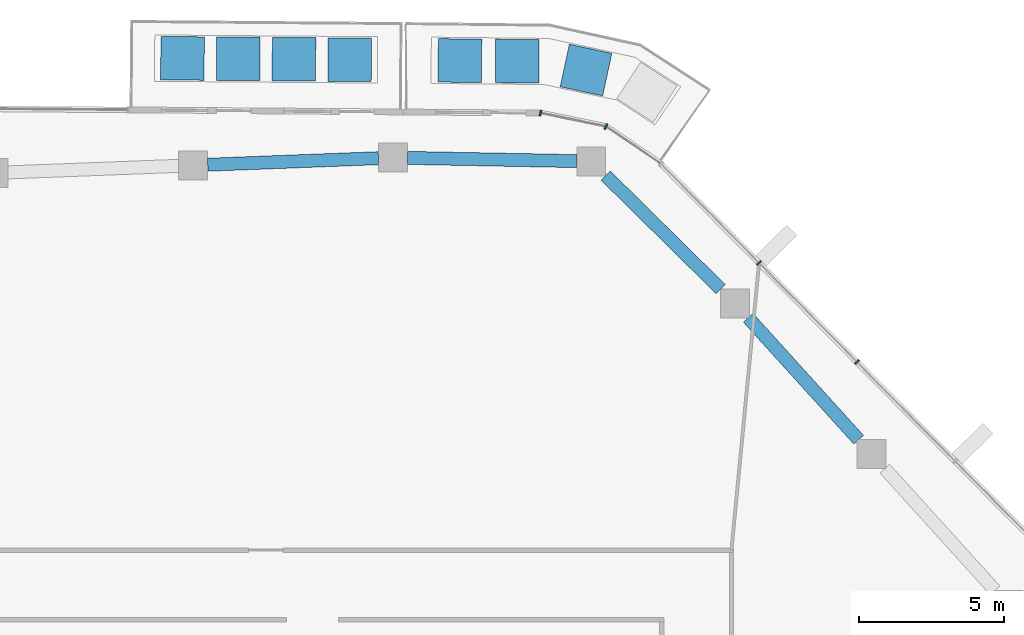
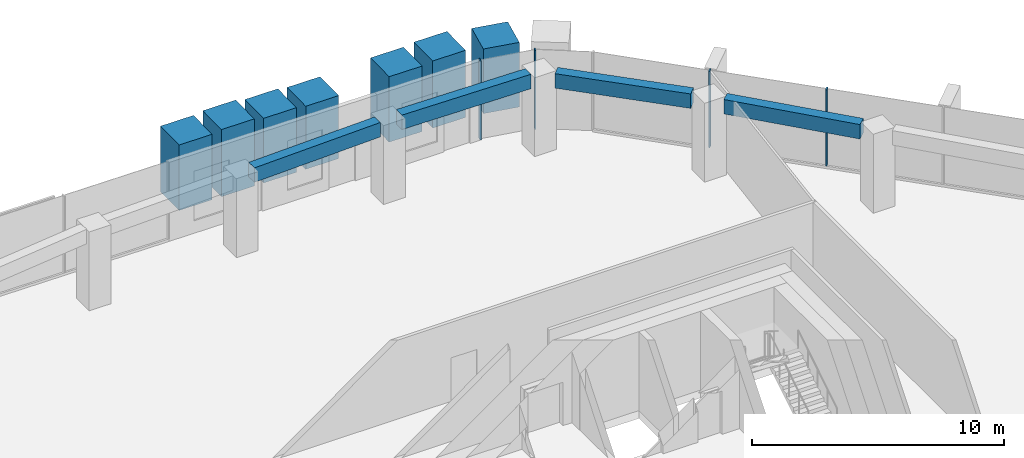
# One storey, part 9 of 23: 11 members, 4 beams, 2 elements without a shape of their own.
"""IFC4 building model written with IfcOpenShell, lengths in metres."""

from ifc_helpers import new_model, si_unit, direction, frame, origin, origin_2d, place, context, subcontext, project, spatial, rectangle, extrude, material, layer, layer_set, material_profile, profile_set, type_object, element, aggregate, save


model = new_model("IFC4")

# Units and contexts
model_context = context("Model", 3, precision=1e-05, world=origin(), true_north=direction((0.0, 1.0)))
body_context = subcontext(model_context, "Body", "Model", "MODEL_VIEW")
ifc_project = project(units=[si_unit("LENGTHUNIT", "METRE"), si_unit("AREAUNIT", "SQUARE_METRE"), si_unit("VOLUMEUNIT", "CUBIC_METRE"), si_unit("PLANEANGLEUNIT", "RADIAN"), si_unit("MASSUNIT", "GRAM", prefix="KILO")], contexts=[model_context])

# Site, building, storey
site_placement = place(None, origin())
site = spatial("IfcSite", under=ifc_project, at=site_placement, CompositionType="ELEMENT")
building_placement = place(site_placement, origin())
building = spatial("IfcBuilding", under=site, at=building_placement, Name="Dongbaek Canopy Tower", CompositionType="ELEMENT")
storey_placement = place(building_placement, frame((0.0, 0.0, 323.60009765625)))
storey = spatial("IfcBuildingStorey", under=building, at=storey_placement, Name="L69", CompositionType="ELEMENT", Elevation=323.60009765625)

# Curtain wall, members
ifc_material_1 = material(Name="Aluminium 6063-T6 pale anodised", Category="aluminium")
ifc_layer = layer(ifc_material_1, 0.199951171875)
ifc_layer_set = layer_set([ifc_layer], Name="CW-1 unitised tower curtain wall")
curtain_wall_type = type_object("IfcCurtainWallType", Name="CW-1 unitised tower curtain wall", PredefinedType="NOTDEFINED", material=ifc_layer_set)
curtain_wall_1_placement = place(storey_placement, origin())
curtain_wall_1 = element("IfcCurtainWall", 1, at=curtain_wall_1_placement, inside=storey, type_object=curtain_wall_type, Name="CW-1 curtain wall F0.1", PredefinedType="NOTDEFINED")
ifc_material_2 = material(Name="Aluminium 6063-T6 pale anodised", Category="aluminium")
ifc_material_profile_1 = material_profile(ifc_material_2, rectangle(XDim=0.199951171875, YDim=0.06005859375, at=origin_2d()), Name="CW-1 mullion 60 x 200")
ifc_profile_set_1 = profile_set([ifc_material_profile_1], Name="Aluminium 6063-T6 pale anodised")
member_type_1 = type_object("IfcMemberType", Name="CW-1 mullion 60 x 200", PredefinedType="MULLION", material=ifc_profile_set_1)
member_1_placement = place(storey_placement, frame((21.482177734375, 20.642333984375, 0.119873046875), z_axis=(0.0, 0.0, 1.0), x_axis=(0.711035260325, 0.703156354287, 0.0)))
member_1 = element("IfcMember", 2, at=member_1_placement, type_object=member_type_1, Name="CW-1 mullion F0.1.4", PredefinedType="MULLION", context=body_context, shape_type="SweptSolid", body=[
    extrude(rectangle(XDim=0.199951171875, YDim=0.06005859375, at=origin_2d()), origin(), (0.0, 0.0, 1.0), 3.699951171875),
])
member_2_placement = place(storey_placement, frame((18.101806640625, 24.060791015625, 0.119873046875), z_axis=(0.0, 0.0, 1.0), x_axis=(0.711035260325, 0.703156354287, 0.0)))
member_2 = element("IfcMember", 3, at=member_2_placement, type_object=member_type_1, Name="CW-1 mullion F0.1.5", PredefinedType="MULLION", context=body_context, shape_type="SweptSolid", body=[
    extrude(rectangle(XDim=0.199951171875, YDim=0.06005859375, at=origin_2d()), origin(), (0.0, 0.0, 1.0), 3.699951171875),
])
aggregate(curtain_wall_1, [member_1, member_2])

curtain_wall_2_placement = place(storey_placement, origin())
curtain_wall_2 = element("IfcCurtainWall", 4, at=curtain_wall_2_placement, inside=storey, type_object=curtain_wall_type, Name="CW-1 curtain wall K1.1", PredefinedType="NOTDEFINED")
member_3_placement = place(storey_placement, frame((12.8193359375, 28.764404296875, 0.0), z_axis=(0.0, 0.0, 1.0), x_axis=(0.388843204791, 0.921303946636, 0.0)))
member_3 = element("IfcMember", 5, at=member_3_placement, type_object=member_type_1, Name="CW-1 mullion K1.1.2", PredefinedType="MULLION", context=body_context, shape_type="SweptSolid", body=[
    extrude(rectangle(XDim=0.199951171875, YDim=0.06005859375, at=origin_2d()), origin(), (0.0, 0.0, 1.0), 3.81982421875),
])
member_4_placement = place(storey_placement, frame((10.56201171875, 29.23046875, 0.0), z_axis=(0.0, 0.0, 1.0), x_axis=(0.2021754834, 0.979349311488, 0.0)))
member_4 = element("IfcMember", 6, at=member_4_placement, type_object=member_type_1, Name="CW-1 mullion K1.1.3", PredefinedType="MULLION", context=body_context, shape_type="SweptSolid", body=[
    extrude(rectangle(XDim=0.199951171875, YDim=0.06005859375, at=origin_2d()), origin(), (0.0, 0.0, 1.0), 3.81982421875),
])
aggregate(curtain_wall_2, [member_3, member_4])

# Beams
ifc_material_3 = material(Name="Concrete C60", Category="concrete")
ifc_material_profile_2 = material_profile(ifc_material_3, rectangle(XDim=0.449951171875, YDim=0.699951171875, at=origin_2d()), Name="RC EDGE BEAM 450x700 C60")
ifc_profile_set_2 = profile_set([ifc_material_profile_2], Name="Concrete C60")
beam_type = type_object("IfcBeamType", Name="RC EDGE BEAM 450x700 C60", PredefinedType="BEAM", material=ifc_profile_set_2)
beam_1_placement = place(storey_placement, frame((-0.91796875, 27.447265625, 3.469970703125), z_axis=(0.999267098379, 0.038278794366, 0.0), x_axis=(-0.038278794366, 0.999267098379, 0.0)))
element("IfcBeam", 7, at=beam_1_placement, inside=storey, type_object=beam_type, Name="EDGEBEAM:L69:15", PredefinedType="BEAM", context=body_context, shape_type="SweptSolid", body=[
    extrude(rectangle(XDim=0.449951171875, YDim=0.699951171875, at=origin_2d()), origin(), (0.0, 0.0, 1.0), 5.893310546875),
])
beam_2_placement = place(storey_placement, frame((5.970947265625, 27.6826171875, 3.469970703125), z_axis=(0.99982249395, -0.018840928625, 0.0), x_axis=(0.018840928625, 0.99982249395, 0.0)))
element("IfcBeam", 8, at=beam_2_placement, inside=storey, type_object=beam_type, Name="EDGEBEAM:L69:16", PredefinedType="BEAM", context=body_context, shape_type="SweptSolid", body=[
    extrude(rectangle(XDim=0.449951171875, YDim=0.699951171875, at=origin_2d()), origin(), (0.0, 0.0, 1.0), 5.843994140625),
])
beam_3_placement = place(storey_placement, frame((12.81396484375, 27.069580078125, 3.469970703125), z_axis=(0.711740530271, -0.702442465665, 0.0), x_axis=(0.702442465665, 0.711740530271, 0.0)))
element("IfcBeam", 9, at=beam_3_placement, inside=storey, type_object=beam_type, Name="EDGEBEAM:L69:17", PredefinedType="BEAM", context=body_context, shape_type="SweptSolid", body=[
    extrude(rectangle(XDim=0.449951171875, YDim=0.699951171875, at=origin_2d()), origin(), (0.0, 0.0, 1.0), 5.56640625),
])
beam_4_placement = place(storey_placement, frame((17.72900390625, 22.166015625, 3.469970703125), z_axis=(0.67133921348, -0.741150227986, 0.0), x_axis=(0.741150227986, 0.67133921348, 0.0)))
element("IfcBeam", 10, at=beam_4_placement, inside=storey, type_object=beam_type, Name="EDGEBEAM:L69:18", PredefinedType="BEAM", context=body_context, shape_type="SweptSolid", body=[
    extrude(rectangle(XDim=0.449951171875, YDim=0.699951171875, at=origin_2d()), origin(), (0.0, 0.0, 1.0), 5.67236328125),
])

# Members
ifc_material_4 = material(Name="Concrete C40/50 planter mass with planting", Category="concrete")
ifc_material_profile_3 = material_profile(ifc_material_4, rectangle(XDim=1.5, YDim=1.5, at=origin_2d()), Name="Terrace PLANTER shrub mass 1500 x 1500")
ifc_profile_set_3 = profile_set([ifc_material_profile_3], Name="Concrete C40/50 planter mass with planting")
member_type_2 = type_object("IfcMemberType", Name="Terrace PLANTER shrub mass 1500 x 1500", PredefinedType="USERDEFINED", material=ifc_profile_set_3)
member_5_placement = place(storey_placement, frame((3.979248046875, 31.07177734375, 0.419921875), z_axis=(0.0, 0.0, 1.0), x_axis=(0.007781807363, 0.999969721279, 0.0)))
element("IfcMember", 11, at=member_5_placement, inside=storey, type_object=member_type_2, Name="Planter shrubs L69 1.1", ObjectType="PLANTER", PredefinedType="USERDEFINED", context=body_context, shape_type="SweptSolid", body=[
    extrude(rectangle(XDim=1.5, YDim=1.5, at=origin_2d()), origin(), (0.0, 0.0, 1.0), 3.050048828125),
])
member_6_placement = place(storey_placement, frame((2.056640625, 31.086669921875, 0.419921875), z_axis=(0.0, 0.0, 1.0), x_axis=(0.007781807363, 0.999969721279, 0.0)))
element("IfcMember", 12, at=member_6_placement, inside=storey, type_object=member_type_2, Name="Planter shrubs L69 1.2", ObjectType="PLANTER", PredefinedType="USERDEFINED", context=body_context, shape_type="SweptSolid", body=[
    extrude(rectangle(XDim=1.5, YDim=1.5, at=origin_2d()), origin(), (0.0, 0.0, 1.0), 3.1298828125),
])
member_7_placement = place(storey_placement, frame((0.134033203125, 31.1015625, 0.419921875), z_axis=(0.0, 0.0, 1.0), x_axis=(0.007781807363, 0.999969721279, 0.0)))
element("IfcMember", 13, at=member_7_placement, inside=storey, type_object=member_type_2, Name="Planter shrubs L69 1.3", ObjectType="PLANTER", PredefinedType="USERDEFINED", context=body_context, shape_type="SweptSolid", body=[
    extrude(rectangle(XDim=1.5, YDim=1.5, at=origin_2d()), origin(), (0.0, 0.0, 1.0), 3.25),
])
member_8_placement = place(storey_placement, frame((-1.78857421875, 31.11669921875, 0.419921875), z_axis=(0.0, 0.0, 1.0), x_axis=(0.007781807363, 0.999969721279, 0.0)))
element("IfcMember", 14, at=member_8_placement, inside=storey, type_object=member_type_2, Name="Planter shrubs L69 1.4", ObjectType="PLANTER", PredefinedType="USERDEFINED", context=body_context, shape_type="SweptSolid", body=[
    extrude(rectangle(XDim=1.5, YDim=1.5, at=origin_2d()), origin(), (0.0, 0.0, 1.0), 3.169921875),
])
member_9_placement = place(storey_placement, frame((12.133544921875, 30.713134765625, 0.419921875), z_axis=(0.0, 0.0, 1.0), x_axis=(0.210546309323, 0.977583884703, 0.0)))
element("IfcMember", 15, at=member_9_placement, inside=storey, type_object=member_type_2, Name="Planter shrubs L69 5.2", ObjectType="PLANTER", PredefinedType="USERDEFINED", context=body_context, shape_type="SweptSolid", body=[
    extrude(rectangle(XDim=1.5, YDim=1.5, at=origin_2d()), origin(), (0.0, 0.0, 1.0), 3.1298828125),
])
member_10_placement = place(storey_placement, frame((9.760986328125, 31.020751953125, 0.419921875), z_axis=(0.0, 0.0, 1.0), x_axis=(0.009824870646, 0.999951734794, 0.0)))
element("IfcMember", 16, at=member_10_placement, inside=storey, type_object=member_type_2, Name="Planter shrubs L69 5.3", ObjectType="PLANTER", PredefinedType="USERDEFINED", context=body_context, shape_type="SweptSolid", body=[
    extrude(rectangle(XDim=1.5, YDim=1.5, at=origin_2d()), origin(), (0.0, 0.0, 1.0), 3.25),
])
member_11_placement = place(storey_placement, frame((7.78076171875, 31.0400390625, 0.419921875), z_axis=(0.0, 0.0, 1.0), x_axis=(0.009824870646, 0.999951734794, 0.0)))
element("IfcMember", 17, at=member_11_placement, inside=storey, type_object=member_type_2, Name="Planter shrubs L69 5.4", ObjectType="PLANTER", PredefinedType="USERDEFINED", context=body_context, shape_type="SweptSolid", body=[
    extrude(rectangle(XDim=1.5, YDim=1.5, at=origin_2d()), origin(), (0.0, 0.0, 1.0), 3.169921875),
])

save(model, "model.ifc")
